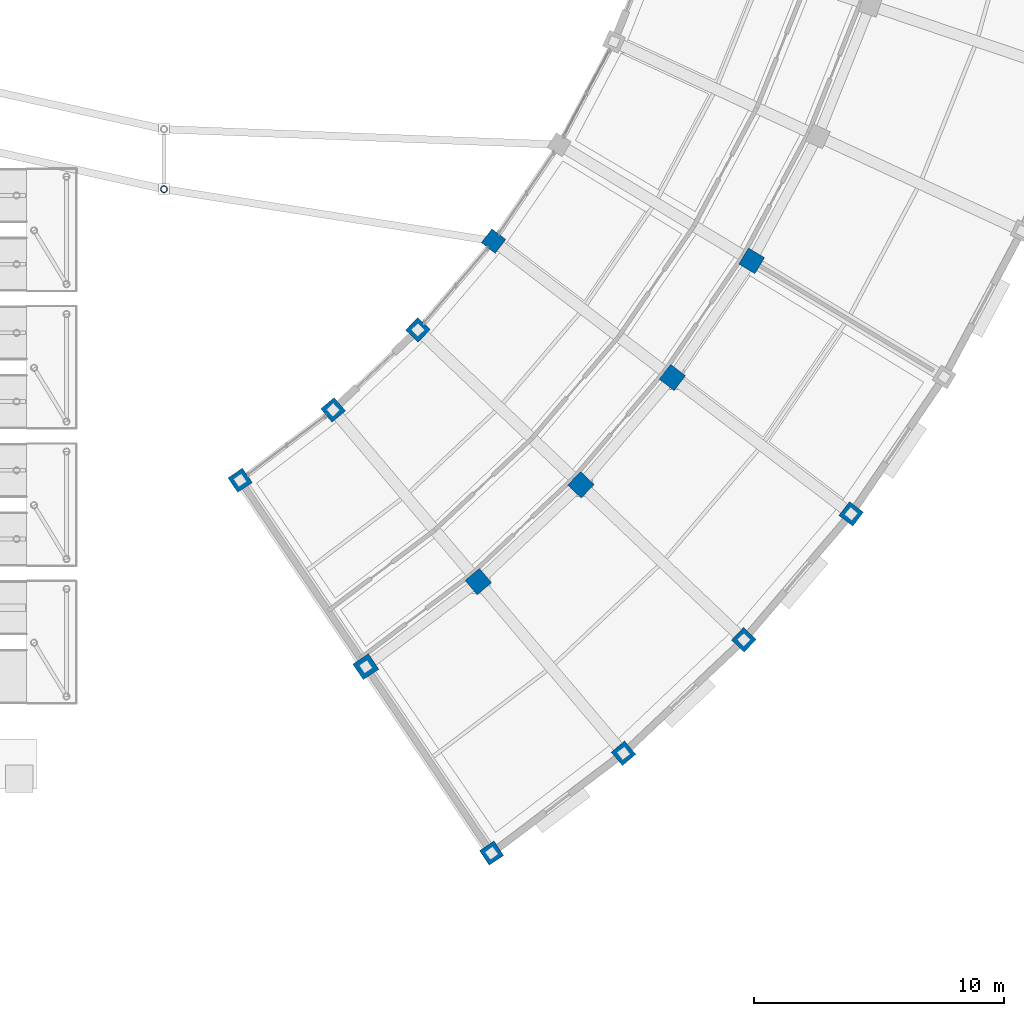
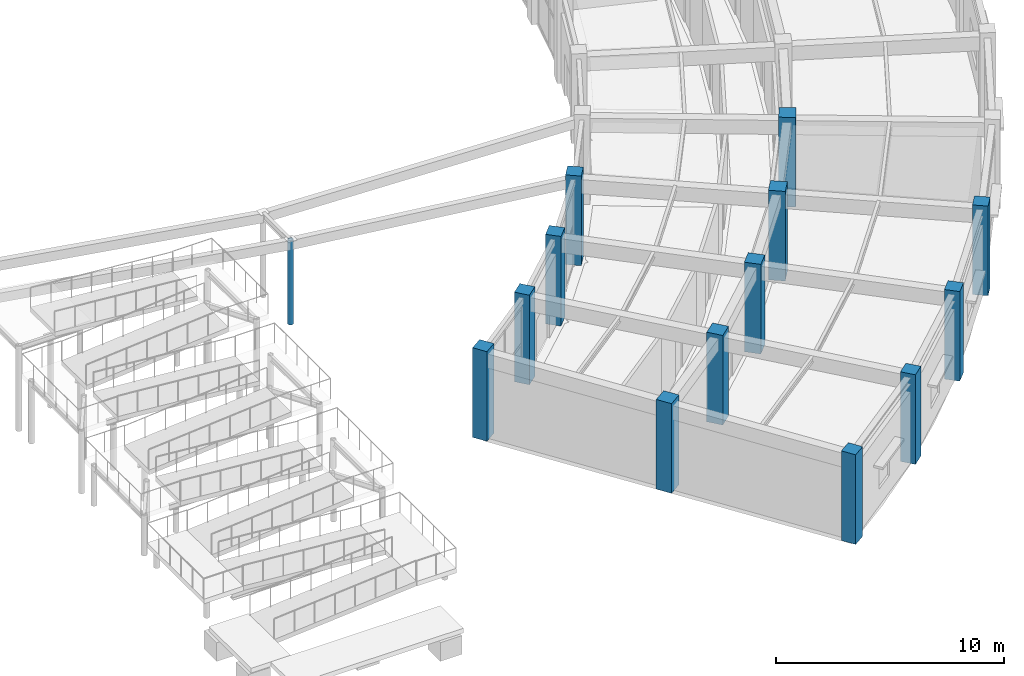
# One storey, part 15 of 108: 14 columns.
"""IFC4 building model written with IfcOpenShell, lengths in metres."""

from ifc_helpers import new_model, si_unit, direction, frame, origin, origin_2d, place, context, subcontext, project, spatial, rectangle, hollow_circle, extrude, material, material_profile, profile_set, type_object, element, save


model = new_model("IFC4")

# Units and contexts
model_context = context("Model", 3, precision=1e-05, world=origin(), true_north=direction((0.0, 1.0)))
body_context = subcontext(model_context, "Body", "Model", "MODEL_VIEW")
ifc_project = project(units=[si_unit("LENGTHUNIT", "METRE"), si_unit("AREAUNIT", "SQUARE_METRE"), si_unit("VOLUMEUNIT", "CUBIC_METRE"), si_unit("PLANEANGLEUNIT", "RADIAN"), si_unit("MASSUNIT", "GRAM", prefix="KILO")], contexts=[model_context])

# Site, building, storey
site_placement = place(None, origin())
site = spatial("IfcSite", under=ifc_project, at=site_placement, CompositionType="ELEMENT")
building_placement = place(site_placement, origin())
building = spatial("IfcBuilding", under=site, at=building_placement, Name="Tarnveldt Headland Concert Hall", CompositionType="ELEMENT")
storey_placement = place(building_placement, origin())
storey = spatial("IfcBuildingStorey", under=building, at=storey_placement, Name="L00", CompositionType="ELEMENT", Elevation=0.0)

# Columns
ifc_material_1 = material(Name="Concrete C40/50", Category="concrete")
ifc_material_profile_1 = material_profile(ifc_material_1, rectangle(XDim=0.699951171875, YDim=0.699951171875, at=origin_2d()), Name="RC 700x700", Category="concrete")
ifc_profile_set_1 = profile_set([ifc_material_profile_1], Name="Concrete C40/50")
column_type_1 = type_object("IfcColumnType", Name="CC-700", PredefinedType="COLUMN", material=ifc_profile_set_1)
for number, where, z_axis, x_axis, name in (
    (1, (141.54541015625, 24.351318359375, 0.0), (0.0, 0.0, 1.0), (0.559192903471, -0.829037572555, 0.0), "Column V3C00IN L00"),
    (2, (151.61083984375, 9.4287109375, 0.0), (0.0, 0.0, 1.0), (0.559192903471, -0.829037572555, 0.0), "Column V3C00OUT L00"),
    (3, (145.267333984375, 27.16748046875, 0.0), (0.0, 0.0, 1.0), (0.645724263505, -0.763570674869, 0.0), "Column V3C01IN L00"),
    (4, (156.89111328125, 13.423583984375, 0.0), (0.0, 0.0, 1.0), (0.645724263505, -0.763570674869, 0.0), "Column V3C01OUT L00"),
    (5, (148.662353515625, 30.37060546875, 0.0), (0.0, 0.0, 1.0), (0.724653130187, -0.689113808387, 0.0), "Column V3C02IN L00"),
    (6, (161.70703125, 17.967529296875, 0.0), (0.0, 0.0, 1.0), (0.724653130187, -0.689113808387, 0.0), "Column V3C02OUT L00"),
    (7, (151.690185546875, 33.922607421875, 0.0), (0.0, 0.0, 1.0), (0.795156077043, -0.60640482612, 0.0), "Column V3C03IN L00"),
    (8, (166.00244140625, 23.006591796875, 0.0), (0.0, 0.0, 1.0), (0.795156077043, -0.60640482612, 0.0), "Column V3C03OUT L00"),
):
    element("IfcColumn", number, at=place(storey_placement, frame(where, z_axis=z_axis, x_axis=x_axis)), inside=storey, type_object=column_type_1, Name=name, PredefinedType="COLUMN", context=body_context, shape_type="SweptSolid", body=[
        extrude(rectangle(XDim=0.699951171875, YDim=0.699951171875, at=origin_2d()), origin(), (0.0, 0.0, 1.0), 4.800048828125),
    ])
ifc_material_profile_2 = material_profile(ifc_material_1, rectangle(XDim=0.75, YDim=0.75, at=origin_2d()), Name="RC 750x750", Category="concrete")
ifc_profile_set_2 = profile_set([ifc_material_profile_2], Name="Concrete C40/50")
column_type_2 = type_object("IfcColumnType", Name="CC-750", PredefinedType="COLUMN", material=ifc_profile_set_2)
for number, where, z_axis, x_axis, name in (
    (9, (146.577880859375, 16.889892578125, 0.0), (0.0, 0.0, 1.0), (0.559192903471, -0.829037572555, 0.0), "Column V3C00MD L00"),
    (10, (151.0791015625, 20.295654296875, 0.0), (0.0, 0.0, 1.0), (0.645724263505, -0.763570674869, 0.0), "Column V3C01MD L00"),
    (11, (155.184814453125, 24.1689453125, 0.0), (0.0, 0.0, 1.0), (0.724653130187, -0.689113808387, 0.0), "Column V3C02MD L00"),
    (12, (158.84619140625, 28.464599609375, 0.0), (0.0, 0.0, 1.0), (0.795156077043, -0.60640482612, 0.0), "Column V3C03MD L00"),
    (13, (162.020751953125, 33.131591796875, 0.0), (0.0, 0.0, 1.0), (0.856176919486, -0.516682767798, 0.0), "Column V3C04MD L00"),
):
    element("IfcColumn", number, at=place(storey_placement, frame(where, z_axis=z_axis, x_axis=x_axis)), inside=storey, type_object=column_type_2, Name=name, PredefinedType="COLUMN", context=body_context, shape_type="SweptSolid", body=[
        extrude(rectangle(XDim=0.75, YDim=0.75, at=origin_2d()), origin(), (0.0, 0.0, 1.0), 4.800048828125),
    ])
ifc_material_2 = material(Name="Steel S355", Category="steel")
ifc_material_profile_3 = material_profile(ifc_material_2, hollow_circle(Radius=0.136474609375, WallThickness=0.01611328125, at=origin_2d()), Name="CHS 273x16", Category="steel")
ifc_profile_set_3 = profile_set([ifc_material_profile_3], Name="Steel S355")
column_type_3 = type_object("IfcColumnType", Name="SC-CHS273", PredefinedType="COLUMN", material=ifc_profile_set_3)
column_placement = place(storey_placement, frame((138.5, 36.0, 0.0), z_axis=(0.0, 0.0, 1.0), x_axis=(1.0, 0.0, 0.0)))
element("IfcColumn", 14, at=column_placement, inside=storey, type_object=column_type_3, Name="Column BRP03 L00", PredefinedType="COLUMN", context=body_context, shape_type="SweptSolid", body=[
    extrude(hollow_circle(Radius=0.136474609375, WallThickness=0.01611328125, at=origin_2d()), origin(), (0.0, 0.0, 1.0), 4.510009765625),
])

save(model, "model.ifc")
